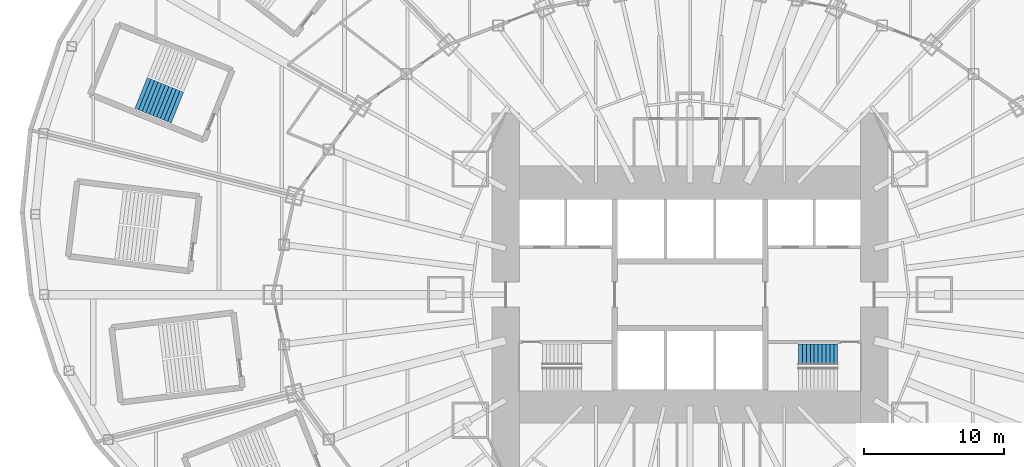
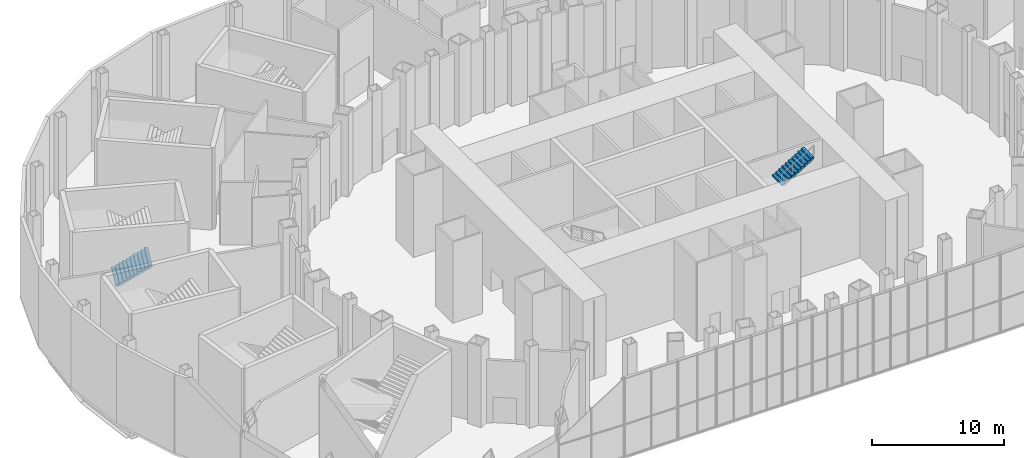
# One storey, part 33 of 73: 2 stair flights, 2 elements without a shape of their own.
"""IFC4 building model written with IfcOpenShell, lengths in metres."""

from ifc_helpers import new_model, si_unit, direction, frame, origin, place, context, subcontext, project, spatial, triangles, material, type_object, element, aggregate, save


model = new_model("IFC4")

# Units and contexts
model_context = context("Model", 3, precision=1e-05, world=origin(), true_north=direction((0.0, 1.0)))
body_context = subcontext(model_context, "Body", "Model", "MODEL_VIEW")
ifc_project = project(units=[si_unit("LENGTHUNIT", "METRE"), si_unit("AREAUNIT", "SQUARE_METRE"), si_unit("VOLUMEUNIT", "CUBIC_METRE"), si_unit("PLANEANGLEUNIT", "RADIAN"), si_unit("MASSUNIT", "GRAM", prefix="KILO")], contexts=[model_context])

# Site, building, storey
site_placement = place(None, origin())
site = spatial("IfcSite", under=ifc_project, at=site_placement, CompositionType="ELEMENT")
building_placement = place(site_placement, origin())
building = spatial("IfcBuilding", under=site, at=building_placement, Name="Lantaw Convention Tower", CompositionType="ELEMENT")
storey_placement = place(building_placement, frame((0.0, 0.0, 14.5)))
storey = spatial("IfcBuildingStorey", under=building, at=storey_placement, Name="L02", CompositionType="ELEMENT", Elevation=14.5)

# Stair, stair flight
ifc_material = material(Name="Concrete C35/45", Category="concrete")
stair_type_1 = type_object("IfcStairType", Name="Exit stair 1500 riser 170.45 in 4 flights", PredefinedType="HALF_TURN_STAIR", material=ifc_material)
stair_1_placement = place(storey_placement, origin())
stair_1 = element("IfcStair", 1, at=stair_1_placement, inside=storey, type_object=stair_type_1, Name="Exit stair S2 L02", PredefinedType="HALF_TURN_STAIR")
stair_flight_type_1 = type_object("IfcStairFlightType", Name="Stair flight 1500 riser 170.45", PredefinedType="STRAIGHT", material=ifc_material)
stair_flight_1_placement = place(storey_placement, frame((7.780029296875, -4.280029296875, 5.625), z_axis=(0.0, 0.0, 1.0), x_axis=(1.0, 0.0, 0.0)))
stair_flight_1 = element("IfcStairFlight", 2, at=stair_flight_1_placement, type_object=stair_flight_type_1, Name="S2 flight 4", NumberOfRisers=11, NumberOfTreads=10, PredefinedType="STRAIGHT", RiserHeight=0.170454545, TreadLength=0.28, context=body_context, shape_type="Tessellation", body=[
    triangles([(0.0, 0.75, 0.0), (0.0, 0.75, 0.170454545), (0.28, 0.75, 0.0), (0.28, 0.75, 0.170454545), (0.28, 0.75, 0.34090909), (0.28827876332691904, 0.75, 0.0), (0.28827876332691904, 0.75, 0.34090909), (0.56, 0.75, 0.16541471344266906), (0.56, 0.75, 0.34090909), (0.56, 0.75, 0.511363635), (0.8400000000000001, 0.75, 0.335869258442669), (0.8400000000000001, 0.75, 0.511363635), (0.8400000000000001, 0.75, 0.68181818), (1.12, 0.75, 0.506323803442669), (1.12, 0.75, 0.68181818), (1.12, 0.75, 0.8522727250000001), (1.4000000000000001, 0.75, 0.676778348442669), (1.4000000000000001, 0.75, 0.8522727250000001), (1.4000000000000001, 0.75, 1.02272727), (1.6800000000000002, 0.75, 0.847232893442669), (1.6800000000000002, 0.75, 1.02272727), (1.6800000000000002, 0.75, 1.193181815), (1.9600000000000002, 0.75, 1.017687438442669), (1.9600000000000002, 0.75, 1.193181815), (1.9600000000000002, 0.75, 1.36363636), (2.24, 0.75, 1.188141983442669), (2.24, 0.75, 1.36363636), (2.24, 0.75, 1.5340909050000002), (2.5200000000000005, 0.75, 1.358596528442669), (2.5200000000000005, 0.75, 1.5340909050000002), (2.5200000000000005, 0.75, 1.7045454500000001), (2.8000000000000003, 0.75, 1.529051073442669), (2.8000000000000003, 0.75, 1.7045454500000001), (0.0, -0.75, 0.0), (0.0, -0.75, 0.170454545), (0.28, -0.75, 0.0), (0.28, -0.75, 0.170454545), (0.28, -0.75, 0.34090909), (0.28827876332691904, -0.75, 0.0), (0.28827876332691904, -0.75, 0.34090909), (0.56, -0.75, 0.16541471344266906), (0.56, -0.75, 0.34090909), (0.56, -0.75, 0.511363635), (0.8400000000000001, -0.75, 0.335869258442669), (0.8400000000000001, -0.75, 0.511363635), (0.8400000000000001, -0.75, 0.68181818), (1.12, -0.75, 0.506323803442669), (1.12, -0.75, 0.68181818), (1.12, -0.75, 0.8522727250000001), (1.4000000000000001, -0.75, 0.676778348442669), (1.4000000000000001, -0.75, 0.8522727250000001), (1.4000000000000001, -0.75, 1.02272727), (1.6800000000000002, -0.75, 0.847232893442669), (1.6800000000000002, -0.75, 1.02272727), (1.6800000000000002, -0.75, 1.193181815), (1.9600000000000002, -0.75, 1.017687438442669), (1.9600000000000002, -0.75, 1.193181815), (1.9600000000000002, -0.75, 1.36363636), (2.24, -0.75, 1.188141983442669), (2.24, -0.75, 1.36363636), (2.24, -0.75, 1.5340909050000002), (2.5200000000000005, -0.75, 1.358596528442669), (2.5200000000000005, -0.75, 1.5340909050000002), (2.5200000000000005, -0.75, 1.7045454500000001), (2.8000000000000003, -0.75, 1.529051073442669), (2.8000000000000003, -0.75, 1.7045454500000001), (0.0, 0.15000000000000002, 0.170454545), (0.0, 0.15000000000000002, 0.0), (0.0, 0.0, 0.170454545), (0.0, 0.0, 0.0), (0.0, -0.15000000000000002, 0.170454545), (0.0, -0.15000000000000002, 0.0), (0.28, 0.15000000000000002, 0.34090909), (0.28, 0.15000000000000002, 0.170454545), (0.28, 0.0, 0.34090909), (0.28, 0.0, 0.170454545), (0.28, -0.15000000000000002, 0.34090909), (0.28, -0.15000000000000002, 0.170454545), (0.56, 0.15000000000000002, 0.511363635), (0.56, 0.15000000000000002, 0.34090909), (0.56, 0.0, 0.511363635), (0.56, 0.0, 0.34090909), (0.56, -0.15000000000000002, 0.511363635), (0.56, -0.15000000000000002, 0.34090909), (0.8400000000000001, 0.15000000000000002, 0.68181818), (0.8400000000000001, 0.15000000000000002, 0.511363635), (0.8400000000000001, 0.0, 0.68181818), (0.8400000000000001, 0.0, 0.511363635), (0.8400000000000001, -0.15000000000000002, 0.68181818), (0.8400000000000001, -0.15000000000000002, 0.511363635), (1.12, 0.15000000000000002, 0.8522727250000001), (1.12, 0.15000000000000002, 0.68181818), (1.12, 0.0, 0.8522727250000001), (1.12, 0.0, 0.68181818), (1.12, -0.15000000000000002, 0.8522727250000001), (1.12, -0.15000000000000002, 0.68181818), (1.4000000000000001, 0.15000000000000002, 1.02272727), (1.4000000000000001, 0.15000000000000002, 0.8522727250000001), (1.4000000000000001, 0.0, 1.02272727), (1.4000000000000001, 0.0, 0.8522727250000001), (1.4000000000000001, -0.15000000000000002, 1.02272727), (1.4000000000000001, -0.15000000000000002, 0.8522727250000001), (1.6800000000000002, 0.15000000000000002, 1.193181815), (1.6800000000000002, 0.15000000000000002, 1.02272727), (1.6800000000000002, 0.0, 1.193181815), (1.6800000000000002, 0.0, 1.02272727), (1.6800000000000002, -0.15000000000000002, 1.193181815), (1.6800000000000002, -0.15000000000000002, 1.02272727), (1.9600000000000002, 0.15000000000000002, 1.36363636), (1.9600000000000002, 0.15000000000000002, 1.193181815), (1.9600000000000002, 0.0, 1.36363636), (1.9600000000000002, 0.0, 1.193181815), (1.9600000000000002, -0.15000000000000002, 1.36363636), (1.9600000000000002, -0.15000000000000002, 1.193181815), (2.24, 0.15000000000000002, 1.5340909050000002), (2.24, 0.15000000000000002, 1.36363636), (2.24, 0.0, 1.5340909050000002), (2.24, 0.0, 1.36363636), (2.24, -0.15000000000000002, 1.5340909050000002), (2.24, -0.15000000000000002, 1.36363636), (2.5200000000000005, 0.15000000000000002, 1.7045454500000001), (2.5200000000000005, 0.15000000000000002, 1.5340909050000002), (2.5200000000000005, 0.0, 1.7045454500000001), (2.5200000000000005, 0.0, 1.5340909050000002), (2.5200000000000005, -0.15000000000000002, 1.7045454500000001), (2.5200000000000005, -0.15000000000000002, 1.5340909050000002), (0.28827876332691904, 0.15000000000000002, 0.34090909), (0.28827876332691904, 0.0, 0.34090909), (0.28827876332691904, -0.15000000000000002, 0.34090909), (2.8000000000000003, 0.15000000000000002, 1.7045454500000001), (2.8000000000000003, 0.0, 1.7045454500000001), (2.8000000000000003, -0.15000000000000002, 1.7045454500000001), (2.8000000000000003, 0.15000000000000002, 1.5290510734426692), (2.8000000000000003, 0.0, 1.5290510734426692), (2.8000000000000003, -0.15000000000000002, 1.5290510734426692), (2.5200000000000005, 0.15000000000000002, 1.358596528442669), (2.5200000000000005, 0.0, 1.358596528442669), (2.5200000000000005, -0.15000000000000002, 1.358596528442669), (2.24, 0.15000000000000002, 1.188141983442669), (2.24, 0.0, 1.188141983442669), (2.24, -0.15000000000000002, 1.188141983442669), (1.9600000000000002, 0.15000000000000002, 1.017687438442669), (1.9600000000000002, 0.0, 1.017687438442669), (1.9600000000000002, -0.15000000000000002, 1.017687438442669), (1.6800000000000002, 0.15000000000000002, 0.847232893442669), (1.6800000000000002, 0.0, 0.847232893442669), (1.6800000000000002, -0.15000000000000002, 0.847232893442669), (1.4000000000000001, 0.15000000000000002, 0.676778348442669), (1.4000000000000001, 0.0, 0.676778348442669), (1.4000000000000001, -0.15000000000000002, 0.676778348442669), (1.12, 0.15000000000000002, 0.506323803442669), (1.12, 0.0, 0.506323803442669), (1.12, -0.15000000000000002, 0.506323803442669), (0.8400000000000001, 0.15000000000000002, 0.335869258442669), (0.8400000000000001, 0.0, 0.335869258442669), (0.8400000000000001, -0.15000000000000002, 0.335869258442669), (0.56, 0.15000000000000002, 0.16541471344266906), (0.56, 0.0, 0.16541471344266906), (0.56, -0.15000000000000002, 0.16541471344266906), (0.28827876332691904, 0.15000000000000002, 0.0), (0.28827876332691904, 0.0, 0.0), (0.28827876332691904, -0.15000000000000002, 0.0), (0.28, 0.15000000000000002, 0.0), (0.28, 0.0, 0.0), (0.28, -0.15000000000000002, 0.0)], [[1, 4, 3], [1, 2, 4], [3, 4, 6], [4, 7, 6], [4, 5, 7], [6, 9, 8], [6, 7, 9], [8, 9, 11], [9, 12, 11], [9, 10, 12], [11, 12, 14], [12, 15, 14], [12, 13, 15], [14, 15, 17], [15, 18, 17], [15, 16, 18], [17, 18, 20], [18, 21, 20], [18, 19, 21], [20, 21, 23], [21, 24, 23], [21, 22, 24], [23, 24, 26], [24, 27, 26], [24, 25, 27], [26, 27, 29], [27, 30, 29], [27, 28, 30], [29, 30, 32], [30, 33, 32], [30, 31, 33], [34, 36, 37], [34, 37, 35], [36, 39, 37], [37, 39, 40], [37, 40, 38], [39, 41, 42], [39, 42, 40], [41, 44, 42], [42, 44, 45], [42, 45, 43], [44, 47, 45], [45, 47, 48], [45, 48, 46], [47, 50, 48], [48, 50, 51], [48, 51, 49], [50, 53, 51], [51, 53, 54], [51, 54, 52], [53, 56, 54], [54, 56, 57], [54, 57, 55], [56, 59, 57], [57, 59, 60], [57, 60, 58], [59, 62, 60], [60, 62, 63], [60, 63, 61], [62, 65, 63], [63, 65, 66], [63, 66, 64], [1, 67, 2], [1, 68, 67], [68, 69, 67], [68, 70, 69], [70, 71, 69], [70, 72, 71], [72, 35, 71], [72, 34, 35], [4, 73, 5], [4, 74, 73], [74, 75, 73], [74, 76, 75], [76, 77, 75], [76, 78, 77], [78, 38, 77], [78, 37, 38], [9, 79, 10], [9, 80, 79], [80, 81, 79], [80, 82, 81], [82, 83, 81], [82, 84, 83], [84, 43, 83], [84, 42, 43], [12, 85, 13], [12, 86, 85], [86, 87, 85], [86, 88, 87], [88, 89, 87], [88, 90, 89], [90, 46, 89], [90, 45, 46], [15, 91, 16], [15, 92, 91], [92, 93, 91], [92, 94, 93], [94, 95, 93], [94, 96, 95], [96, 49, 95], [96, 48, 49], [18, 97, 19], [18, 98, 97], [98, 99, 97], [98, 100, 99], [100, 101, 99], [100, 102, 101], [102, 52, 101], [102, 51, 52], [21, 103, 22], [21, 104, 103], [104, 105, 103], [104, 106, 105], [106, 107, 105], [106, 108, 107], [108, 55, 107], [108, 54, 55], [24, 109, 25], [24, 110, 109], [110, 111, 109], [110, 112, 111], [112, 113, 111], [112, 114, 113], [114, 58, 113], [114, 57, 58], [27, 115, 28], [27, 116, 115], [116, 117, 115], [116, 118, 117], [118, 119, 117], [118, 120, 119], [120, 61, 119], [120, 60, 61], [30, 121, 31], [30, 122, 121], [122, 123, 121], [122, 124, 123], [124, 125, 123], [124, 126, 125], [126, 64, 125], [126, 63, 64], [2, 74, 4], [2, 67, 74], [67, 76, 74], [67, 69, 76], [69, 78, 76], [69, 71, 78], [71, 37, 78], [71, 35, 37], [5, 127, 7], [5, 73, 127], [73, 128, 127], [73, 75, 128], [75, 129, 128], [75, 77, 129], [77, 40, 129], [77, 38, 40], [7, 80, 9], [7, 127, 80], [127, 82, 80], [127, 128, 82], [128, 84, 82], [128, 129, 84], [129, 42, 84], [129, 40, 42], [10, 86, 12], [10, 79, 86], [79, 88, 86], [79, 81, 88], [81, 90, 88], [81, 83, 90], [83, 45, 90], [83, 43, 45], [13, 92, 15], [13, 85, 92], [85, 94, 92], [85, 87, 94], [87, 96, 94], [87, 89, 96], [89, 48, 96], [89, 46, 48], [16, 98, 18], [16, 91, 98], [91, 100, 98], [91, 93, 100], [93, 102, 100], [93, 95, 102], [95, 51, 102], [95, 49, 51], [19, 104, 21], [19, 97, 104], [97, 106, 104], [97, 99, 106], [99, 108, 106], [99, 101, 108], [101, 54, 108], [101, 52, 54], [22, 110, 24], [22, 103, 110], [103, 112, 110], [103, 105, 112], [105, 114, 112], [105, 107, 114], [107, 57, 114], [107, 55, 57], [25, 116, 27], [25, 109, 116], [109, 118, 116], [109, 111, 118], [111, 120, 118], [111, 113, 120], [113, 60, 120], [113, 58, 60], [28, 122, 30], [28, 115, 122], [115, 124, 122], [115, 117, 124], [117, 126, 124], [117, 119, 126], [119, 63, 126], [119, 61, 63], [31, 130, 33], [31, 121, 130], [121, 131, 130], [121, 123, 131], [123, 132, 131], [123, 125, 132], [125, 66, 132], [125, 64, 66], [33, 133, 32], [33, 130, 133], [130, 134, 133], [130, 131, 134], [131, 135, 134], [131, 132, 135], [132, 65, 135], [132, 66, 65], [32, 136, 29], [32, 133, 136], [133, 137, 136], [133, 134, 137], [134, 138, 137], [134, 135, 138], [135, 62, 138], [135, 65, 62], [29, 139, 26], [29, 136, 139], [136, 140, 139], [136, 137, 140], [137, 141, 140], [137, 138, 141], [138, 59, 141], [138, 62, 59], [26, 142, 23], [26, 139, 142], [139, 143, 142], [139, 140, 143], [140, 144, 143], [140, 141, 144], [141, 56, 144], [141, 59, 56], [23, 145, 20], [23, 142, 145], [142, 146, 145], [142, 143, 146], [143, 147, 146], [143, 144, 147], [144, 53, 147], [144, 56, 53], [20, 148, 17], [20, 145, 148], [145, 149, 148], [145, 146, 149], [146, 150, 149], [146, 147, 150], [147, 50, 150], [147, 53, 50], [17, 151, 14], [17, 148, 151], [148, 152, 151], [148, 149, 152], [149, 153, 152], [149, 150, 153], [150, 47, 153], [150, 50, 47], [14, 154, 11], [14, 151, 154], [151, 155, 154], [151, 152, 155], [152, 156, 155], [152, 153, 156], [153, 44, 156], [153, 47, 44], [11, 157, 8], [11, 154, 157], [154, 158, 157], [154, 155, 158], [155, 159, 158], [155, 156, 159], [156, 41, 159], [156, 44, 41], [8, 160, 6], [8, 157, 160], [157, 161, 160], [157, 158, 161], [158, 162, 161], [158, 159, 162], [159, 39, 162], [159, 41, 39], [6, 163, 3], [6, 160, 163], [160, 164, 163], [160, 161, 164], [161, 165, 164], [161, 162, 165], [162, 36, 165], [162, 39, 36], [3, 68, 1], [3, 163, 68], [163, 70, 68], [163, 164, 70], [164, 72, 70], [164, 165, 72], [165, 34, 72], [165, 36, 34]], closed=True),
])
aggregate(stair_1, [stair_flight_1])

stair_type_2 = type_object("IfcStairType", Name="Exit stair 2400 riser 170.45 in 4 flights", PredefinedType="HALF_TURN_STAIR", material=ifc_material)
stair_2_placement = place(storey_placement, origin())
stair_2 = element("IfcStair", 3, at=stair_2_placement, inside=storey, type_object=stair_type_2, Name="Podium exit stair P8 L02", PredefinedType="HALF_TURN_STAIR")
stair_flight_type_2 = type_object("IfcStairFlightType", Name="Stair flight 2400 riser 170.45", PredefinedType="STRAIGHT", material=ifc_material)
stair_flight_2_placement = place(storey_placement, frame((-39.329345703125, 14.44140625, 1.875), z_axis=(0.0, 0.0, 1.0), x_axis=(0.928015168305, -0.372542410198, 0.0)))
stair_flight_2 = element("IfcStairFlight", 4, at=stair_flight_2_placement, type_object=stair_flight_type_2, Name="P8 flight 2", NumberOfRisers=11, NumberOfTreads=10, PredefinedType="STRAIGHT", RiserHeight=0.170454545, TreadLength=0.28, context=body_context, shape_type="Tessellation", body=[
    triangles([(0.0, 1.199951171875, 0.0), (0.0, 1.199951171875, 0.170454545), (0.28, 1.199951171875, 0.0), (0.28, 1.199951171875, 0.170454545), (0.28, 1.199951171875, 0.34090909), (0.28827876332691904, 1.199951171875, 0.0), (0.28827876332691904, 1.199951171875, 0.34090909), (0.56, 1.199951171875, 0.16541471344266906), (0.56, 1.199951171875, 0.34090909), (0.56, 1.199951171875, 0.511363635), (0.8400000000000001, 1.199951171875, 0.335869258442669), (0.8400000000000001, 1.199951171875, 0.511363635), (0.8400000000000001, 1.199951171875, 0.68181818), (1.12, 1.199951171875, 0.506323803442669), (1.12, 1.199951171875, 0.68181818), (1.12, 1.199951171875, 0.8522727250000001), (1.4000000000000001, 1.199951171875, 0.676778348442669), (1.4000000000000001, 1.199951171875, 0.8522727250000001), (1.4000000000000001, 1.199951171875, 1.02272727), (1.6800000000000002, 1.199951171875, 0.847232893442669), (1.6800000000000002, 1.199951171875, 1.02272727), (1.6800000000000002, 1.199951171875, 1.193181815), (1.9600000000000002, 1.199951171875, 1.017687438442669), (1.9600000000000002, 1.199951171875, 1.193181815), (1.9600000000000002, 1.199951171875, 1.36363636), (2.24, 1.199951171875, 1.188141983442669), (2.24, 1.199951171875, 1.36363636), (2.24, 1.199951171875, 1.5340909050000002), (2.5200000000000005, 1.199951171875, 1.358596528442669), (2.5200000000000005, 1.199951171875, 1.5340909050000002), (2.5200000000000005, 1.199951171875, 1.7045454500000001), (2.8000000000000003, 1.199951171875, 1.529051073442669), (2.8000000000000003, 1.199951171875, 1.7045454500000001), (0.0, -1.199951171875, 0.0), (0.0, -1.199951171875, 0.170454545), (0.28, -1.199951171875, 0.0), (0.28, -1.199951171875, 0.170454545), (0.28, -1.199951171875, 0.34090909), (0.28827876332691904, -1.199951171875, 0.0), (0.28827876332691904, -1.199951171875, 0.34090909), (0.56, -1.199951171875, 0.16541471344266906), (0.56, -1.199951171875, 0.34090909), (0.56, -1.199951171875, 0.511363635), (0.8400000000000001, -1.199951171875, 0.335869258442669), (0.8400000000000001, -1.199951171875, 0.511363635), (0.8400000000000001, -1.199951171875, 0.68181818), (1.12, -1.199951171875, 0.506323803442669), (1.12, -1.199951171875, 0.68181818), (1.12, -1.199951171875, 0.8522727250000001), (1.4000000000000001, -1.199951171875, 0.676778348442669), (1.4000000000000001, -1.199951171875, 0.8522727250000001), (1.4000000000000001, -1.199951171875, 1.02272727), (1.6800000000000002, -1.199951171875, 0.847232893442669), (1.6800000000000002, -1.199951171875, 1.02272727), (1.6800000000000002, -1.199951171875, 1.193181815), (1.9600000000000002, -1.199951171875, 1.017687438442669), (1.9600000000000002, -1.199951171875, 1.193181815), (1.9600000000000002, -1.199951171875, 1.36363636), (2.24, -1.199951171875, 1.188141983442669), (2.24, -1.199951171875, 1.36363636), (2.24, -1.199951171875, 1.5340909050000002), (2.5200000000000005, -1.199951171875, 1.358596528442669), (2.5200000000000005, -1.199951171875, 1.5340909050000002), (2.5200000000000005, -1.199951171875, 1.7045454500000001), (2.8000000000000003, -1.199951171875, 1.529051073442669), (2.8000000000000003, -1.199951171875, 1.7045454500000001), (0.0, 0.239990234375, 0.170454545), (0.0, 0.239990234375, 0.0), (0.0, 0.1199951171875, 0.170454545), (0.0, 0.1199951171875, 0.0), (0.0, 0.0, 0.170454545), (0.0, 0.0, 0.0), (0.0, -0.1199951171875, 0.170454545), (0.0, -0.1199951171875, 0.0), (0.0, -0.239990234375, 0.170454545), (0.0, -0.239990234375, 0.0), (0.28, 0.239990234375, 0.34090909), (0.28, 0.239990234375, 0.170454545), (0.28, 0.1199951171875, 0.34090909), (0.28, 0.1199951171875, 0.170454545), (0.28, 0.0, 0.34090909), (0.28, 0.0, 0.170454545), (0.28, -0.1199951171875, 0.34090909), (0.28, -0.1199951171875, 0.170454545), (0.28, -0.239990234375, 0.34090909), (0.28, -0.239990234375, 0.170454545), (0.56, 0.239990234375, 0.511363635), (0.56, 0.239990234375, 0.34090909), (0.56, 0.1199951171875, 0.511363635), (0.56, 0.1199951171875, 0.34090909), (0.56, 0.0, 0.511363635), (0.56, 0.0, 0.34090909), (0.56, -0.1199951171875, 0.511363635), (0.56, -0.1199951171875, 0.34090909), (0.56, -0.239990234375, 0.511363635), (0.56, -0.239990234375, 0.34090909), (0.8400000000000001, 0.239990234375, 0.68181818), (0.8400000000000001, 0.239990234375, 0.511363635), (0.8400000000000001, 0.1199951171875, 0.68181818), (0.8400000000000001, 0.1199951171875, 0.511363635), (0.8400000000000001, 0.0, 0.68181818), (0.8400000000000001, 0.0, 0.511363635), (0.8400000000000001, -0.1199951171875, 0.68181818), (0.8400000000000001, -0.1199951171875, 0.511363635), (0.8400000000000001, -0.239990234375, 0.68181818), (0.8400000000000001, -0.239990234375, 0.511363635), (1.12, 0.239990234375, 0.8522727250000001), (1.12, 0.239990234375, 0.68181818), (1.12, 0.1199951171875, 0.8522727250000001), (1.12, 0.1199951171875, 0.68181818), (1.12, 0.0, 0.8522727250000001), (1.12, 0.0, 0.68181818), (1.12, -0.1199951171875, 0.8522727250000001), (1.12, -0.1199951171875, 0.68181818), (1.12, -0.239990234375, 0.8522727250000001), (1.12, -0.239990234375, 0.68181818), (1.4000000000000001, 0.239990234375, 1.02272727), (1.4000000000000001, 0.239990234375, 0.8522727250000001), (1.4000000000000001, 0.1199951171875, 1.02272727), (1.4000000000000001, 0.1199951171875, 0.8522727250000001), (1.4000000000000001, 0.0, 1.02272727), (1.4000000000000001, 0.0, 0.8522727250000001), (1.4000000000000001, -0.1199951171875, 1.02272727), (1.4000000000000001, -0.1199951171875, 0.8522727250000001), (1.4000000000000001, -0.239990234375, 1.02272727), (1.4000000000000001, -0.239990234375, 0.8522727250000001), (1.6800000000000002, 0.239990234375, 1.193181815), (1.6800000000000002, 0.239990234375, 1.02272727), (1.6800000000000002, 0.1199951171875, 1.193181815), (1.6800000000000002, 0.1199951171875, 1.02272727), (1.6800000000000002, 0.0, 1.193181815), (1.6800000000000002, 0.0, 1.02272727), (1.6800000000000002, -0.1199951171875, 1.193181815), (1.6800000000000002, -0.1199951171875, 1.02272727), (1.6800000000000002, -0.239990234375, 1.193181815), (1.6800000000000002, -0.239990234375, 1.02272727), (1.9600000000000002, 0.239990234375, 1.36363636), (1.9600000000000002, 0.239990234375, 1.193181815), (1.9600000000000002, 0.1199951171875, 1.36363636), (1.9600000000000002, 0.1199951171875, 1.193181815), (1.9600000000000002, 0.0, 1.36363636), (1.9600000000000002, 0.0, 1.193181815), (1.9600000000000002, -0.1199951171875, 1.36363636), (1.9600000000000002, -0.1199951171875, 1.193181815), (1.9600000000000002, -0.239990234375, 1.36363636), (1.9600000000000002, -0.239990234375, 1.193181815), (2.24, 0.239990234375, 1.5340909050000002), (2.24, 0.239990234375, 1.36363636), (2.24, 0.1199951171875, 1.5340909050000002), (2.24, 0.1199951171875, 1.36363636), (2.24, 0.0, 1.5340909050000002), (2.24, 0.0, 1.36363636), (2.24, -0.1199951171875, 1.5340909050000002), (2.24, -0.1199951171875, 1.36363636), (2.24, -0.239990234375, 1.5340909050000002), (2.24, -0.239990234375, 1.36363636), (2.5200000000000005, 0.239990234375, 1.7045454500000001), (2.5200000000000005, 0.239990234375, 1.5340909050000002), (2.5200000000000005, 0.1199951171875, 1.7045454500000001), (2.5200000000000005, 0.1199951171875, 1.5340909050000002), (2.5200000000000005, 0.0, 1.7045454500000001), (2.5200000000000005, 0.0, 1.5340909050000002), (2.5200000000000005, -0.1199951171875, 1.7045454500000001), (2.5200000000000005, -0.1199951171875, 1.5340909050000002), (2.5200000000000005, -0.239990234375, 1.7045454500000001), (2.5200000000000005, -0.239990234375, 1.5340909050000002), (0.28827876332691904, 0.239990234375, 0.34090909), (0.28827876332691904, 0.1199951171875, 0.34090909), (0.28827876332691904, 0.0, 0.34090909), (0.28827876332691904, -0.1199951171875, 0.34090909), (0.28827876332691904, -0.239990234375, 0.34090909), (2.8000000000000003, 0.239990234375, 1.7045454500000001), (2.8000000000000003, 0.1199951171875, 1.7045454500000001), (2.8000000000000003, 0.0, 1.7045454500000001), (2.8000000000000003, -0.1199951171875, 1.7045454500000001), (2.8000000000000003, -0.239990234375, 1.7045454500000001), (2.8000000000000003, 0.239990234375, 1.5290510734426692), (2.8000000000000003, 0.1199951171875, 1.5290510734426692), (2.8000000000000003, 0.0, 1.5290510734426692), (2.8000000000000003, -0.1199951171875, 1.5290510734426692), (2.8000000000000003, -0.239990234375, 1.5290510734426692), (2.5200000000000005, 0.239990234375, 1.358596528442669), (2.5200000000000005, 0.1199951171875, 1.358596528442669), (2.5200000000000005, 0.0, 1.358596528442669), (2.5200000000000005, -0.1199951171875, 1.358596528442669), (2.5200000000000005, -0.239990234375, 1.358596528442669), (2.24, 0.239990234375, 1.188141983442669), (2.24, 0.1199951171875, 1.188141983442669), (2.24, 0.0, 1.188141983442669), (2.24, -0.1199951171875, 1.188141983442669), (2.24, -0.239990234375, 1.188141983442669), (1.9600000000000002, 0.239990234375, 1.017687438442669), (1.9600000000000002, 0.1199951171875, 1.017687438442669), (1.9600000000000002, 0.0, 1.017687438442669), (1.9600000000000002, -0.1199951171875, 1.017687438442669), (1.9600000000000002, -0.239990234375, 1.017687438442669), (1.6800000000000002, 0.239990234375, 0.847232893442669), (1.6800000000000002, 0.1199951171875, 0.847232893442669), (1.6800000000000002, 0.0, 0.847232893442669), (1.6800000000000002, -0.1199951171875, 0.847232893442669), (1.6800000000000002, -0.239990234375, 0.847232893442669), (1.4000000000000001, 0.239990234375, 0.676778348442669), (1.4000000000000001, 0.1199951171875, 0.676778348442669), (1.4000000000000001, 0.0, 0.676778348442669), (1.4000000000000001, -0.1199951171875, 0.676778348442669), (1.4000000000000001, -0.239990234375, 0.676778348442669), (1.12, 0.239990234375, 0.506323803442669), (1.12, 0.1199951171875, 0.506323803442669), (1.12, 0.0, 0.506323803442669), (1.12, -0.1199951171875, 0.506323803442669), (1.12, -0.239990234375, 0.506323803442669), (0.8400000000000001, 0.239990234375, 0.335869258442669), (0.8400000000000001, 0.1199951171875, 0.335869258442669), (0.8400000000000001, 0.0, 0.335869258442669), (0.8400000000000001, -0.1199951171875, 0.335869258442669), (0.8400000000000001, -0.239990234375, 0.335869258442669), (0.56, 0.239990234375, 0.16541471344266906), (0.56, 0.1199951171875, 0.16541471344266906), (0.56, 0.0, 0.16541471344266906), (0.56, -0.1199951171875, 0.16541471344266906), (0.56, -0.239990234375, 0.16541471344266906), (0.28827876332691904, 0.239990234375, 0.0), (0.28827876332691904, 0.1199951171875, 0.0), (0.28827876332691904, 0.0, 0.0), (0.28827876332691904, -0.1199951171875, 0.0), (0.28827876332691904, -0.239990234375, 0.0), (0.28, 0.239990234375, 0.0), (0.28, 0.1199951171875, 0.0), (0.28, 0.0, 0.0), (0.28, -0.1199951171875, 0.0), (0.28, -0.239990234375, 0.0)], [[1, 4, 3], [1, 2, 4], [3, 4, 6], [4, 7, 6], [4, 5, 7], [6, 9, 8], [6, 7, 9], [8, 9, 11], [9, 12, 11], [9, 10, 12], [11, 12, 14], [12, 15, 14], [12, 13, 15], [14, 15, 17], [15, 18, 17], [15, 16, 18], [17, 18, 20], [18, 21, 20], [18, 19, 21], [20, 21, 23], [21, 24, 23], [21, 22, 24], [23, 24, 26], [24, 27, 26], [24, 25, 27], [26, 27, 29], [27, 30, 29], [27, 28, 30], [29, 30, 32], [30, 33, 32], [30, 31, 33], [34, 36, 37], [34, 37, 35], [36, 39, 37], [37, 39, 40], [37, 40, 38], [39, 41, 42], [39, 42, 40], [41, 44, 42], [42, 44, 45], [42, 45, 43], [44, 47, 45], [45, 47, 48], [45, 48, 46], [47, 50, 48], [48, 50, 51], [48, 51, 49], [50, 53, 51], [51, 53, 54], [51, 54, 52], [53, 56, 54], [54, 56, 57], [54, 57, 55], [56, 59, 57], [57, 59, 60], [57, 60, 58], [59, 62, 60], [60, 62, 63], [60, 63, 61], [62, 65, 63], [63, 65, 66], [63, 66, 64], [1, 67, 2], [1, 68, 67], [68, 69, 67], [68, 70, 69], [70, 71, 69], [70, 72, 71], [72, 73, 71], [72, 74, 73], [74, 75, 73], [74, 76, 75], [76, 35, 75], [76, 34, 35], [4, 77, 5], [4, 78, 77], [78, 79, 77], [78, 80, 79], [80, 81, 79], [80, 82, 81], [82, 83, 81], [82, 84, 83], [84, 85, 83], [84, 86, 85], [86, 38, 85], [86, 37, 38], [9, 87, 10], [9, 88, 87], [88, 89, 87], [88, 90, 89], [90, 91, 89], [90, 92, 91], [92, 93, 91], [92, 94, 93], [94, 95, 93], [94, 96, 95], [96, 43, 95], [96, 42, 43], [12, 97, 13], [12, 98, 97], [98, 99, 97], [98, 100, 99], [100, 101, 99], [100, 102, 101], [102, 103, 101], [102, 104, 103], [104, 105, 103], [104, 106, 105], [106, 46, 105], [106, 45, 46], [15, 107, 16], [15, 108, 107], [108, 109, 107], [108, 110, 109], [110, 111, 109], [110, 112, 111], [112, 113, 111], [112, 114, 113], [114, 115, 113], [114, 116, 115], [116, 49, 115], [116, 48, 49], [18, 117, 19], [18, 118, 117], [118, 119, 117], [118, 120, 119], [120, 121, 119], [120, 122, 121], [122, 123, 121], [122, 124, 123], [124, 125, 123], [124, 126, 125], [126, 52, 125], [126, 51, 52], [21, 127, 22], [21, 128, 127], [128, 129, 127], [128, 130, 129], [130, 131, 129], [130, 132, 131], [132, 133, 131], [132, 134, 133], [134, 135, 133], [134, 136, 135], [136, 55, 135], [136, 54, 55], [24, 137, 25], [24, 138, 137], [138, 139, 137], [138, 140, 139], [140, 141, 139], [140, 142, 141], [142, 143, 141], [142, 144, 143], [144, 145, 143], [144, 146, 145], [146, 58, 145], [146, 57, 58], [27, 147, 28], [27, 148, 147], [148, 149, 147], [148, 150, 149], [150, 151, 149], [150, 152, 151], [152, 153, 151], [152, 154, 153], [154, 155, 153], [154, 156, 155], [156, 61, 155], [156, 60, 61], [30, 157, 31], [30, 158, 157], [158, 159, 157], [158, 160, 159], [160, 161, 159], [160, 162, 161], [162, 163, 161], [162, 164, 163], [164, 165, 163], [164, 166, 165], [166, 64, 165], [166, 63, 64], [2, 78, 4], [2, 67, 78], [67, 80, 78], [67, 69, 80], [69, 82, 80], [69, 71, 82], [71, 84, 82], [71, 73, 84], [73, 86, 84], [73, 75, 86], [75, 37, 86], [75, 35, 37], [5, 167, 7], [5, 77, 167], [77, 168, 167], [77, 79, 168], [79, 169, 168], [79, 81, 169], [81, 170, 169], [81, 83, 170], [83, 171, 170], [83, 85, 171], [85, 40, 171], [85, 38, 40], [7, 88, 9], [7, 167, 88], [167, 90, 88], [167, 168, 90], [168, 92, 90], [168, 169, 92], [169, 94, 92], [169, 170, 94], [170, 96, 94], [170, 171, 96], [171, 42, 96], [171, 40, 42], [10, 98, 12], [10, 87, 98], [87, 100, 98], [87, 89, 100], [89, 102, 100], [89, 91, 102], [91, 104, 102], [91, 93, 104], [93, 106, 104], [93, 95, 106], [95, 45, 106], [95, 43, 45], [13, 108, 15], [13, 97, 108], [97, 110, 108], [97, 99, 110], [99, 112, 110], [99, 101, 112], [101, 114, 112], [101, 103, 114], [103, 116, 114], [103, 105, 116], [105, 48, 116], [105, 46, 48], [16, 118, 18], [16, 107, 118], [107, 120, 118], [107, 109, 120], [109, 122, 120], [109, 111, 122], [111, 124, 122], [111, 113, 124], [113, 126, 124], [113, 115, 126], [115, 51, 126], [115, 49, 51], [19, 128, 21], [19, 117, 128], [117, 130, 128], [117, 119, 130], [119, 132, 130], [119, 121, 132], [121, 134, 132], [121, 123, 134], [123, 136, 134], [123, 125, 136], [125, 54, 136], [125, 52, 54], [22, 138, 24], [22, 127, 138], [127, 140, 138], [127, 129, 140], [129, 142, 140], [129, 131, 142], [131, 144, 142], [131, 133, 144], [133, 146, 144], [133, 135, 146], [135, 57, 146], [135, 55, 57], [25, 148, 27], [25, 137, 148], [137, 150, 148], [137, 139, 150], [139, 152, 150], [139, 141, 152], [141, 154, 152], [141, 143, 154], [143, 156, 154], [143, 145, 156], [145, 60, 156], [145, 58, 60], [28, 158, 30], [28, 147, 158], [147, 160, 158], [147, 149, 160], [149, 162, 160], [149, 151, 162], [151, 164, 162], [151, 153, 164], [153, 166, 164], [153, 155, 166], [155, 63, 166], [155, 61, 63], [31, 172, 33], [31, 157, 172], [157, 173, 172], [157, 159, 173], [159, 174, 173], [159, 161, 174], [161, 175, 174], [161, 163, 175], [163, 176, 175], [163, 165, 176], [165, 66, 176], [165, 64, 66], [33, 177, 32], [33, 172, 177], [172, 178, 177], [172, 173, 178], [173, 179, 178], [173, 174, 179], [174, 180, 179], [174, 175, 180], [175, 181, 180], [175, 176, 181], [176, 65, 181], [176, 66, 65], [32, 182, 29], [32, 177, 182], [177, 183, 182], [177, 178, 183], [178, 184, 183], [178, 179, 184], [179, 185, 184], [179, 180, 185], [180, 186, 185], [180, 181, 186], [181, 62, 186], [181, 65, 62], [29, 187, 26], [29, 182, 187], [182, 188, 187], [182, 183, 188], [183, 189, 188], [183, 184, 189], [184, 190, 189], [184, 185, 190], [185, 191, 190], [185, 186, 191], [186, 59, 191], [186, 62, 59], [26, 192, 23], [26, 187, 192], [187, 193, 192], [187, 188, 193], [188, 194, 193], [188, 189, 194], [189, 195, 194], [189, 190, 195], [190, 196, 195], [190, 191, 196], [191, 56, 196], [191, 59, 56], [23, 197, 20], [23, 192, 197], [192, 198, 197], [192, 193, 198], [193, 199, 198], [193, 194, 199], [194, 200, 199], [194, 195, 200], [195, 201, 200], [195, 196, 201], [196, 53, 201], [196, 56, 53], [20, 202, 17], [20, 197, 202], [197, 203, 202], [197, 198, 203], [198, 204, 203], [198, 199, 204], [199, 205, 204], [199, 200, 205], [200, 206, 205], [200, 201, 206], [201, 50, 206], [201, 53, 50], [17, 207, 14], [17, 202, 207], [202, 208, 207], [202, 203, 208], [203, 209, 208], [203, 204, 209], [204, 210, 209], [204, 205, 210], [205, 211, 210], [205, 206, 211], [206, 47, 211], [206, 50, 47], [14, 212, 11], [14, 207, 212], [207, 213, 212], [207, 208, 213], [208, 214, 213], [208, 209, 214], [209, 215, 214], [209, 210, 215], [210, 216, 215], [210, 211, 216], [211, 44, 216], [211, 47, 44], [11, 217, 8], [11, 212, 217], [212, 218, 217], [212, 213, 218], [213, 219, 218], [213, 214, 219], [214, 220, 219], [214, 215, 220], [215, 221, 220], [215, 216, 221], [216, 41, 221], [216, 44, 41], [8, 222, 6], [8, 217, 222], [217, 223, 222], [217, 218, 223], [218, 224, 223], [218, 219, 224], [219, 225, 224], [219, 220, 225], [220, 226, 225], [220, 221, 226], [221, 39, 226], [221, 41, 39], [6, 227, 3], [6, 222, 227], [222, 228, 227], [222, 223, 228], [223, 229, 228], [223, 224, 229], [224, 230, 229], [224, 225, 230], [225, 231, 230], [225, 226, 231], [226, 36, 231], [226, 39, 36], [3, 68, 1], [3, 227, 68], [227, 70, 68], [227, 228, 70], [228, 72, 70], [228, 229, 72], [229, 74, 72], [229, 230, 74], [230, 76, 74], [230, 231, 76], [231, 34, 76], [231, 36, 34]], closed=True),
])
aggregate(stair_2, [stair_flight_2])

save(model, "model.ifc")
